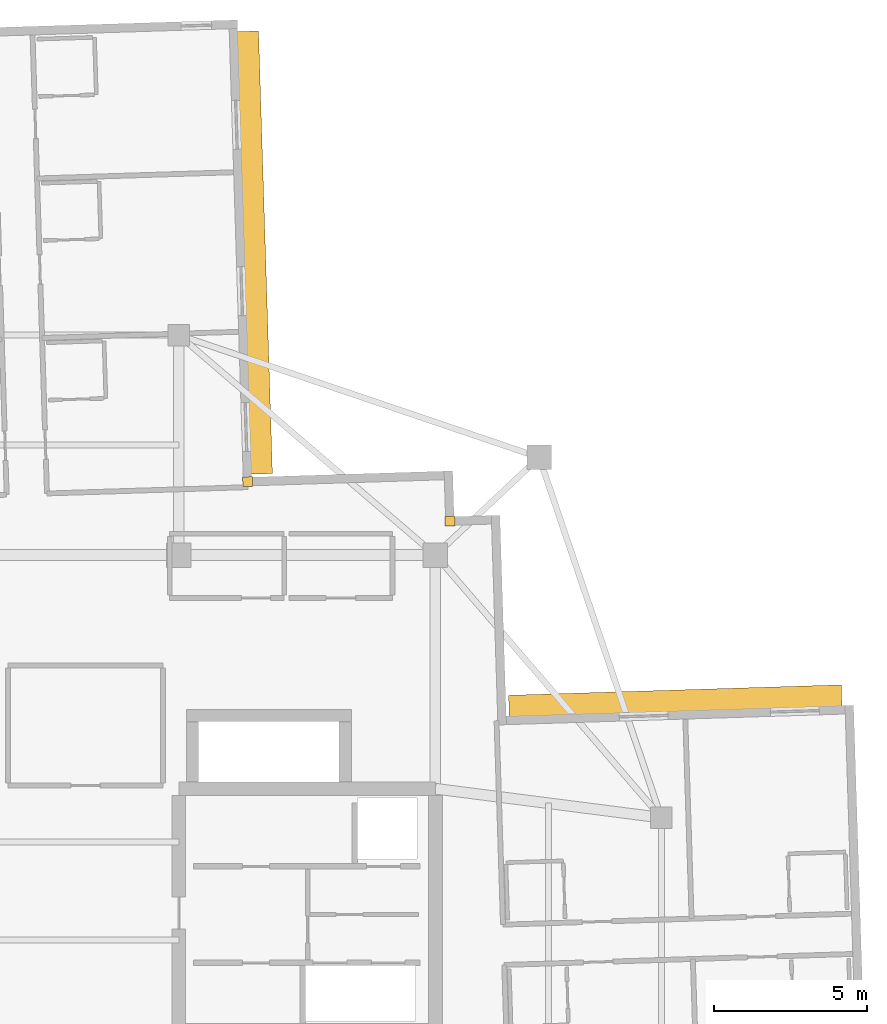
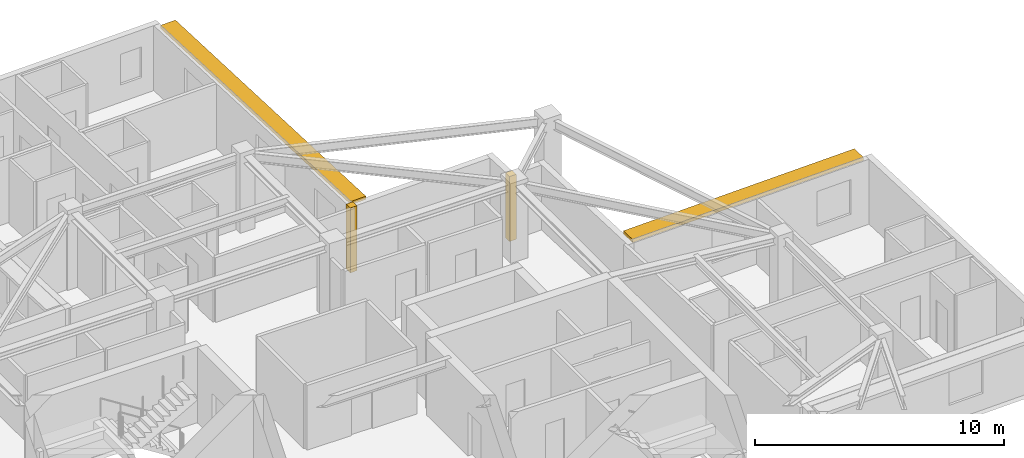
# One storey, part 13 of 13: 2 coverings, 2 shading devices.
"""IFC4 building model written with IfcOpenShell, lengths in metres."""

from ifc_helpers import new_model, si_unit, direction, frame, origin, origin_2d, place, context, subcontext, project, spatial, rectangle, extrude, material, layer, layer_set, type_object, element, save


model = new_model("IFC4")

# Units and contexts
model_context = context("Model", 3, precision=1e-05, world=origin(), true_north=direction((0.0, 1.0)))
body_context = subcontext(model_context, "Body", "Model", "MODEL_VIEW")
ifc_project = project(units=[si_unit("LENGTHUNIT", "METRE"), si_unit("AREAUNIT", "SQUARE_METRE"), si_unit("VOLUMEUNIT", "CUBIC_METRE"), si_unit("PLANEANGLEUNIT", "RADIAN"), si_unit("MASSUNIT", "GRAM", prefix="KILO")], contexts=[model_context])

# Site, building, storey
site_placement = place(None, origin())
site = spatial("IfcSite", under=ifc_project, at=site_placement, CompositionType="ELEMENT")
building_placement = place(site_placement, origin())
building = spatial("IfcBuilding", under=site, at=building_placement, Name="Qingluan Cross Belvedere", CompositionType="ELEMENT")
storey_placement = place(building_placement, frame((0.0, 0.0, 273.300048828125)))
storey = spatial("IfcBuildingStorey", under=building, at=storey_placement, Name="L68", CompositionType="ELEMENT", Elevation=273.300048828125)

# Coverings
ifc_material_1 = material(Name="Precast concrete C45", Category="concrete")
ifc_layer_1 = layer(ifc_material_1, 0.1201171875, Name="ConcreteSpandrelCladding_120")
ifc_layer_set_1 = layer_set([ifc_layer_1], Name="Precast concrete C45")
covering_type = type_object("IfcCoveringType", Name="ConcreteSpandrelCladding_120", PredefinedType="CLADDING", material=ifc_layer_set_1)
for number, where, z_axis, x_axis, name in (
    (1, (12.875732421875, 13.711181640625, 0.0), (0.0, 0.0, 1.0), (0.999506560366, 0.031410759078, 0.0), "Corner closure L68-NE1"),
    (2, (6.251708984375, 15.00390625, 0.0), (0.0, 0.0, 1.0), (0.999506560366, 0.031410759078, 0.0), "Corner closure L68-NE2"),
):
    element("IfcCovering", number, at=place(storey_placement, frame(where, z_axis=z_axis, x_axis=x_axis)), inside=storey, type_object=covering_type, Name=name, PredefinedType="CLADDING", context=body_context, shape_type="SweptSolid", body=[
        extrude(rectangle(XDim=0.320068359375, YDim=0.320068359375, at=origin_2d()), origin(), (0.0, 0.0, 1.0), 3.179931640625),
    ])

# Shading devices
ifc_material_2 = material(Name="Precast concrete C45", Category="concrete")
ifc_layer_2 = layer(ifc_material_2, 0.139892578125, Name="ConcreteSunshadeBand_700")
ifc_layer_set_2 = layer_set([ifc_layer_2], Name="Precast concrete C45")
shading_device_type = type_object("IfcShadingDeviceType", Name="ConcreteSunshadeBand_700", PredefinedType="USERDEFINED", material=ifc_layer_set_2)
shading_device_1_placement = place(storey_placement, frame((20.25390625, 7.830078125, 3.0), z_axis=(0.0, 0.0, 1.0), x_axis=(-0.999506735289, -0.031405192428, 0.0)))
element("IfcShadingDevice", 3, at=shading_device_1_placement, inside=storey, type_object=shading_device_type, Name="Concrete SUNSHADE L68-EB", ObjectType="SUNSHADE", PredefinedType="USERDEFINED", context=body_context, shape_type="SweptSolid", body=[
    extrude(rectangle(XDim=10.89990234375, YDim=0.699951171875, at=origin_2d()), origin(), (0.0, 0.0, 1.0), 0.159912109375),
])
shading_device_2_placement = place(storey_placement, frame((6.486328125, 22.5048828125, 3.0), z_axis=(0.0, 0.0, 1.0), x_axis=(-0.031408051437, 0.999506645453, 0.0)))
element("IfcShadingDevice", 4, at=shading_device_2_placement, inside=storey, type_object=shading_device_type, Name="Concrete SUNSHADE L68-NA", ObjectType="SUNSHADE", PredefinedType="USERDEFINED", context=body_context, shape_type="SweptSolid", body=[
    extrude(rectangle(XDim=14.5, YDim=0.699951171875, at=origin_2d()), origin(), (0.0, 0.0, 1.0), 0.159912109375),
])

save(model, "model.ifc")
